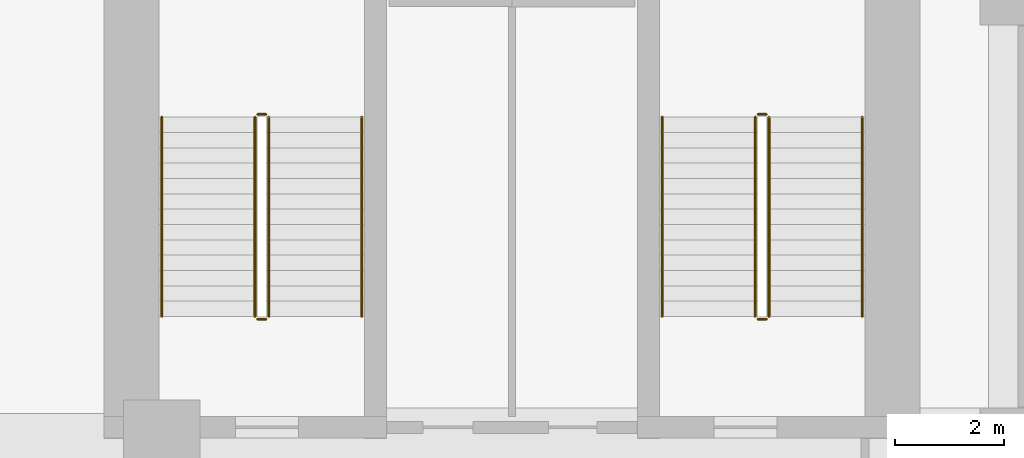
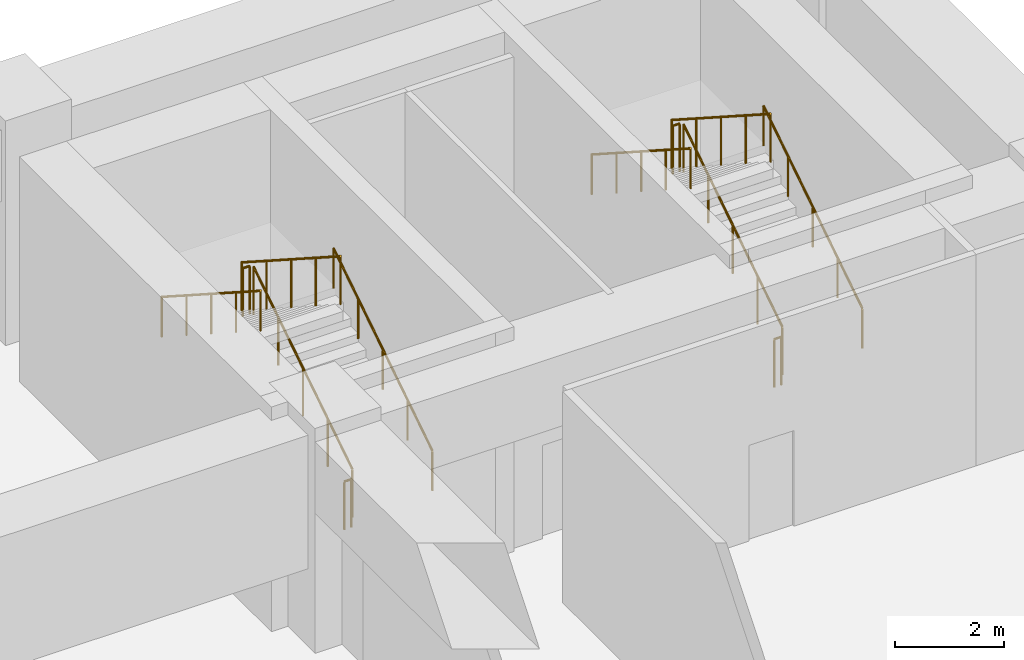
# One storey, part 6 of 6: 12 railings.
"""IFC4 building model written with IfcOpenShell, lengths in metres."""

from ifc_helpers import new_model, si_unit, direction, frame, origin, origin_2d, place, context, subcontext, project, spatial, circle, extrude, material, type_object, element, save


model = new_model("IFC4")

# Units and contexts
model_context = context("Model", 3, precision=1e-05, world=origin(), true_north=direction((0.0, 1.0)))
body_context = subcontext(model_context, "Body", "Model", "MODEL_VIEW")
ifc_project = project(units=[si_unit("LENGTHUNIT", "METRE"), si_unit("AREAUNIT", "SQUARE_METRE"), si_unit("VOLUMEUNIT", "CUBIC_METRE"), si_unit("PLANEANGLEUNIT", "RADIAN"), si_unit("MASSUNIT", "GRAM", prefix="KILO")], contexts=[model_context])

# Site, building, storey
site_placement = place(None, origin())
site = spatial("IfcSite", under=ifc_project, at=site_placement, CompositionType="ELEMENT")
building_placement = place(site_placement, origin())
building = spatial("IfcBuilding", under=site, at=building_placement, Name="Sulina Concourse Tower", CompositionType="ELEMENT")
storey_placement = place(building_placement, frame((0.0, 0.0, 17.550048828125)))
storey = spatial("IfcBuildingStorey", under=building, at=storey_placement, Name="L04", CompositionType="ELEMENT", Elevation=17.550048828125)

# Railings
ifc_material_1 = material(Name="Galvanised steel railing", Category="steel")
railing_type_1 = type_object("IfcRailingType", Name="Core Stair Steel Guardrail 1150mm", PredefinedType="GUARDRAIL", material=ifc_material_1)
railing_1_placement = place(storey_placement, frame((43.554931640625, 36.375, 0.180419921875)))
element("IfcRailing", 1, at=railing_1_placement, inside=storey, type_object=railing_type_1, Name="L04 ST-3 stair guard 1", PredefinedType="GUARDRAIL", context=body_context, shape_type="SweptSolid", body=[
    extrude(circle(Radius=0.02392578125, at=origin_2d()), frame((0.0, 0.0, 1.076171875), z_axis=(0.0, 0.840699961698, 0.541501222898), x_axis=(-1.0, 0.0, 0.0)), (0.0, 0.0, 1.0), 4.32958984375),
    extrude(circle(Radius=0.02099609375, at=origin_2d()), origin(), (0.0, 0.0, 1.0), 1.052001953125),
    extrude(circle(Radius=0.02099609375, at=origin_2d()), frame((0.0, 0.909912109375, 0.586181640625)), (0.0, 0.0, 1.0), 1.052001953125),
    extrude(circle(Radius=0.02099609375, at=origin_2d()), frame((0.0, 1.81982421875, 1.17236328125)), (0.0, 0.0, 1.0), 1.052001953125),
    extrude(circle(Radius=0.02099609375, at=origin_2d()), frame((0.0, 2.72998046875, 1.75830078125)), (0.0, 0.0, 1.0), 1.052001953125),
    extrude(circle(Radius=0.02099609375, at=origin_2d()), frame((0.0, 3.639892578125, 2.344482421875)), (0.0, 0.0, 1.0), 1.052001953125),
])
railing_2_placement = place(storey_placement, frame((43.5048828125, 40.06494140625, 2.52490234375)))
element("IfcRailing", 2, at=railing_2_placement, inside=storey, type_object=railing_type_1, Name="L04 ST-3 stair guard 2", PredefinedType="GUARDRAIL", context=body_context, shape_type="SweptSolid", body=[
    extrude(circle(Radius=0.02392578125, at=origin_2d()), frame((0.0, 0.0, 1.076171875), z_axis=(-1.0, 0.0, 0.0), x_axis=(0.0, -1.0, 0.0)), (0.0, 0.0, 1.0), 0.14990234375),
    extrude(circle(Radius=0.02099609375, at=origin_2d()), origin(), (0.0, 0.0, 1.0), 1.052001953125),
    extrude(circle(Radius=0.02099609375, at=origin_2d()), frame((-0.14990234375, 0.0, 0.0)), (0.0, 0.0, 1.0), 1.052001953125),
])
railing_3_placement = place(storey_placement, frame((43.304931640625, 40.014892578125, 2.705322265625)))
element("IfcRailing", 3, at=railing_3_placement, inside=storey, type_object=railing_type_1, Name="L04 ST-3 stair guard 3", PredefinedType="GUARDRAIL", context=body_context, shape_type="SweptSolid", body=[
    extrude(circle(Radius=0.02392578125, at=origin_2d()), frame((0.0, 0.0, 1.076171875), z_axis=(0.0, -0.840674291117, 0.541541075316), x_axis=(1.0, 0.0, 0.0)), (0.0, 0.0, 1.0), 4.329833984375),
    extrude(circle(Radius=0.02099609375, at=origin_2d()), origin(), (0.0, 0.0, 1.0), 1.052001953125),
    extrude(circle(Radius=0.02099609375, at=origin_2d()), frame((0.0, -0.909912109375, 0.586181640625)), (0.0, 0.0, 1.0), 1.052001953125),
    extrude(circle(Radius=0.02099609375, at=origin_2d()), frame((0.0, -1.81982421875, 1.17236328125)), (0.0, 0.0, 1.0), 1.052001953125),
    extrude(circle(Radius=0.02099609375, at=origin_2d()), frame((0.0, -2.72998046875, 1.758544921875)), (0.0, 0.0, 1.0), 1.052001953125),
    extrude(circle(Radius=0.02099609375, at=origin_2d()), frame((0.0, -3.639892578125, 2.3447265625)), (0.0, 0.0, 1.0), 1.052001953125),
])
railing_4_placement = place(storey_placement, frame((43.5048828125, 36.324951171875, 0.0)))
element("IfcRailing", 4, at=railing_4_placement, inside=storey, type_object=railing_type_1, Name="L04 ST-3 stair guard 4", PredefinedType="GUARDRAIL", context=body_context, shape_type="SweptSolid", body=[
    extrude(circle(Radius=0.02392578125, at=origin_2d()), frame((0.0, 0.0, 1.076171875), z_axis=(-1.0, 0.0, 0.0), x_axis=(0.0, -1.0, 0.0)), (0.0, 0.0, 1.0), 0.14990234375),
    extrude(circle(Radius=0.02099609375, at=origin_2d()), origin(), (0.0, 0.0, 1.0), 1.052001953125),
    extrude(circle(Radius=0.02099609375, at=origin_2d()), frame((-0.14990234375, 0.0, 0.0)), (0.0, 0.0, 1.0), 1.052001953125),
])
railing_5_placement = place(storey_placement, frame((52.695068359375, 36.375, 0.180419921875)))
element("IfcRailing", 5, at=railing_5_placement, inside=storey, type_object=railing_type_1, Name="L04 ST-4 stair guard 1", PredefinedType="GUARDRAIL", context=body_context, shape_type="SweptSolid", body=[
    extrude(circle(Radius=0.02392578125, at=origin_2d()), frame((0.0, 0.0, 1.076171875), z_axis=(0.0, 0.840699961698, 0.541501222898), x_axis=(-1.0, 0.0, 0.0)), (0.0, 0.0, 1.0), 4.32958984375),
    extrude(circle(Radius=0.02099609375, at=origin_2d()), origin(), (0.0, 0.0, 1.0), 1.052001953125),
    extrude(circle(Radius=0.02099609375, at=origin_2d()), frame((0.0, 0.909912109375, 0.586181640625)), (0.0, 0.0, 1.0), 1.052001953125),
    extrude(circle(Radius=0.02099609375, at=origin_2d()), frame((0.0, 1.81982421875, 1.17236328125)), (0.0, 0.0, 1.0), 1.052001953125),
    extrude(circle(Radius=0.02099609375, at=origin_2d()), frame((0.0, 2.72998046875, 1.75830078125)), (0.0, 0.0, 1.0), 1.052001953125),
    extrude(circle(Radius=0.02099609375, at=origin_2d()), frame((0.0, 3.639892578125, 2.344482421875)), (0.0, 0.0, 1.0), 1.052001953125),
])
railing_6_placement = place(storey_placement, frame((52.64501953125, 40.06494140625, 2.52490234375)))
element("IfcRailing", 6, at=railing_6_placement, inside=storey, type_object=railing_type_1, Name="L04 ST-4 stair guard 2", PredefinedType="GUARDRAIL", context=body_context, shape_type="SweptSolid", body=[
    extrude(circle(Radius=0.02392578125, at=origin_2d()), frame((0.0, 0.0, 1.076171875), z_axis=(-1.0, 0.0, 0.0), x_axis=(0.0, -1.0, 0.0)), (0.0, 0.0, 1.0), 0.14990234375),
    extrude(circle(Radius=0.02099609375, at=origin_2d()), origin(), (0.0, 0.0, 1.0), 1.052001953125),
    extrude(circle(Radius=0.02099609375, at=origin_2d()), frame((-0.14990234375, 0.0, 0.0)), (0.0, 0.0, 1.0), 1.052001953125),
])
railing_7_placement = place(storey_placement, frame((52.445068359375, 40.014892578125, 2.705322265625)))
element("IfcRailing", 7, at=railing_7_placement, inside=storey, type_object=railing_type_1, Name="L04 ST-4 stair guard 3", PredefinedType="GUARDRAIL", context=body_context, shape_type="SweptSolid", body=[
    extrude(circle(Radius=0.02392578125, at=origin_2d()), frame((0.0, 0.0, 1.076171875), z_axis=(0.0, -0.840674291117, 0.541541075316), x_axis=(1.0, 0.0, 0.0)), (0.0, 0.0, 1.0), 4.329833984375),
    extrude(circle(Radius=0.02099609375, at=origin_2d()), origin(), (0.0, 0.0, 1.0), 1.052001953125),
    extrude(circle(Radius=0.02099609375, at=origin_2d()), frame((0.0, -0.909912109375, 0.586181640625)), (0.0, 0.0, 1.0), 1.052001953125),
    extrude(circle(Radius=0.02099609375, at=origin_2d()), frame((0.0, -1.81982421875, 1.17236328125)), (0.0, 0.0, 1.0), 1.052001953125),
    extrude(circle(Radius=0.02099609375, at=origin_2d()), frame((0.0, -2.72998046875, 1.758544921875)), (0.0, 0.0, 1.0), 1.052001953125),
    extrude(circle(Radius=0.02099609375, at=origin_2d()), frame((0.0, -3.639892578125, 2.3447265625)), (0.0, 0.0, 1.0), 1.052001953125),
])
railing_8_placement = place(storey_placement, frame((52.64501953125, 36.324951171875, 0.0)))
element("IfcRailing", 8, at=railing_8_placement, inside=storey, type_object=railing_type_1, Name="L04 ST-4 stair guard 4", PredefinedType="GUARDRAIL", context=body_context, shape_type="SweptSolid", body=[
    extrude(circle(Radius=0.02392578125, at=origin_2d()), frame((0.0, 0.0, 1.076171875), z_axis=(-1.0, 0.0, 0.0), x_axis=(0.0, -1.0, 0.0)), (0.0, 0.0, 1.0), 0.14990234375),
    extrude(circle(Radius=0.02099609375, at=origin_2d()), origin(), (0.0, 0.0, 1.0), 1.052001953125),
    extrude(circle(Radius=0.02099609375, at=origin_2d()), frame((-0.14990234375, 0.0, 0.0)), (0.0, 0.0, 1.0), 1.052001953125),
])
ifc_material_2 = material(Name="Galvanised steel railing", Category="steel")
railing_type_2 = type_object("IfcRailingType", Name="Stair Wall Steel Handrail 920mm", PredefinedType="HANDRAIL", material=ifc_material_2)
railing_9_placement = place(storey_placement, frame((45.2548828125, 36.375, 0.180419921875)))
element("IfcRailing", 9, at=railing_9_placement, inside=storey, type_object=railing_type_2, Name="L04 ST-3 stair handrail 1", PredefinedType="HANDRAIL", context=body_context, shape_type="SweptSolid", body=[
    extrude(circle(Radius=0.02392578125, at=origin_2d()), frame((0.0, 0.0, 0.89599609375), z_axis=(0.0, 0.840699961698, 0.541501222898), x_axis=(-1.0, 0.0, 0.0)), (0.0, 0.0, 1.0), 4.32958984375),
    extrude(circle(Radius=0.02099609375, at=origin_2d()), origin(), (0.0, 0.0, 1.0), 0.871826171875),
    extrude(circle(Radius=0.02099609375, at=origin_2d()), frame((0.0, 0.909912109375, 0.586181640625)), (0.0, 0.0, 1.0), 0.871826171875),
    extrude(circle(Radius=0.02099609375, at=origin_2d()), frame((0.0, 1.81982421875, 1.17236328125)), (0.0, 0.0, 1.0), 0.871826171875),
    extrude(circle(Radius=0.02099609375, at=origin_2d()), frame((0.0, 2.72998046875, 1.75830078125)), (0.0, 0.0, 1.0), 0.871826171875),
    extrude(circle(Radius=0.02099609375, at=origin_2d()), frame((0.0, 3.639892578125, 2.344482421875)), (0.0, 0.0, 1.0), 0.871826171875),
])
railing_10_placement = place(storey_placement, frame((41.60498046875, 40.014892578125, 2.705322265625)))
element("IfcRailing", 10, at=railing_10_placement, inside=storey, type_object=railing_type_2, Name="L04 ST-3 stair handrail 2", PredefinedType="HANDRAIL", context=body_context, shape_type="SweptSolid", body=[
    extrude(circle(Radius=0.02392578125, at=origin_2d()), frame((0.0, 0.0, 0.89599609375), z_axis=(0.0, -0.840674291117, 0.541541075316), x_axis=(1.0, 0.0, 0.0)), (0.0, 0.0, 1.0), 4.329833984375),
    extrude(circle(Radius=0.02099609375, at=origin_2d()), origin(), (0.0, 0.0, 1.0), 0.871826171875),
    extrude(circle(Radius=0.02099609375, at=origin_2d()), frame((0.0, -0.909912109375, 0.586181640625)), (0.0, 0.0, 1.0), 0.871826171875),
    extrude(circle(Radius=0.02099609375, at=origin_2d()), frame((0.0, -1.81982421875, 1.17236328125)), (0.0, 0.0, 1.0), 0.871826171875),
    extrude(circle(Radius=0.02099609375, at=origin_2d()), frame((0.0, -2.72998046875, 1.758544921875)), (0.0, 0.0, 1.0), 0.871826171875),
    extrude(circle(Radius=0.02099609375, at=origin_2d()), frame((0.0, -3.639892578125, 2.3447265625)), (0.0, 0.0, 1.0), 0.871826171875),
])
railing_11_placement = place(storey_placement, frame((54.39501953125, 36.375, 0.180419921875)))
element("IfcRailing", 11, at=railing_11_placement, inside=storey, type_object=railing_type_2, Name="L04 ST-4 stair handrail 1", PredefinedType="HANDRAIL", context=body_context, shape_type="SweptSolid", body=[
    extrude(circle(Radius=0.02392578125, at=origin_2d()), frame((0.0, 0.0, 0.89599609375), z_axis=(0.0, 0.840699961698, 0.541501222898), x_axis=(-1.0, 0.0, 0.0)), (0.0, 0.0, 1.0), 4.32958984375),
    extrude(circle(Radius=0.02099609375, at=origin_2d()), origin(), (0.0, 0.0, 1.0), 0.871826171875),
    extrude(circle(Radius=0.02099609375, at=origin_2d()), frame((0.0, 0.909912109375, 0.586181640625)), (0.0, 0.0, 1.0), 0.871826171875),
    extrude(circle(Radius=0.02099609375, at=origin_2d()), frame((0.0, 1.81982421875, 1.17236328125)), (0.0, 0.0, 1.0), 0.871826171875),
    extrude(circle(Radius=0.02099609375, at=origin_2d()), frame((0.0, 2.72998046875, 1.75830078125)), (0.0, 0.0, 1.0), 0.871826171875),
    extrude(circle(Radius=0.02099609375, at=origin_2d()), frame((0.0, 3.639892578125, 2.344482421875)), (0.0, 0.0, 1.0), 0.871826171875),
])
railing_12_placement = place(storey_placement, frame((50.7451171875, 40.014892578125, 2.705322265625)))
element("IfcRailing", 12, at=railing_12_placement, inside=storey, type_object=railing_type_2, Name="L04 ST-4 stair handrail 2", PredefinedType="HANDRAIL", context=body_context, shape_type="SweptSolid", body=[
    extrude(circle(Radius=0.02392578125, at=origin_2d()), frame((0.0, 0.0, 0.89599609375), z_axis=(0.0, -0.840674291117, 0.541541075316), x_axis=(1.0, 0.0, 0.0)), (0.0, 0.0, 1.0), 4.329833984375),
    extrude(circle(Radius=0.02099609375, at=origin_2d()), origin(), (0.0, 0.0, 1.0), 0.871826171875),
    extrude(circle(Radius=0.02099609375, at=origin_2d()), frame((0.0, -0.909912109375, 0.586181640625)), (0.0, 0.0, 1.0), 0.871826171875),
    extrude(circle(Radius=0.02099609375, at=origin_2d()), frame((0.0, -1.81982421875, 1.17236328125)), (0.0, 0.0, 1.0), 0.871826171875),
    extrude(circle(Radius=0.02099609375, at=origin_2d()), frame((0.0, -2.72998046875, 1.758544921875)), (0.0, 0.0, 1.0), 0.871826171875),
    extrude(circle(Radius=0.02099609375, at=origin_2d()), frame((0.0, -3.639892578125, 2.3447265625)), (0.0, 0.0, 1.0), 0.871826171875),
])

save(model, "model.ifc")
